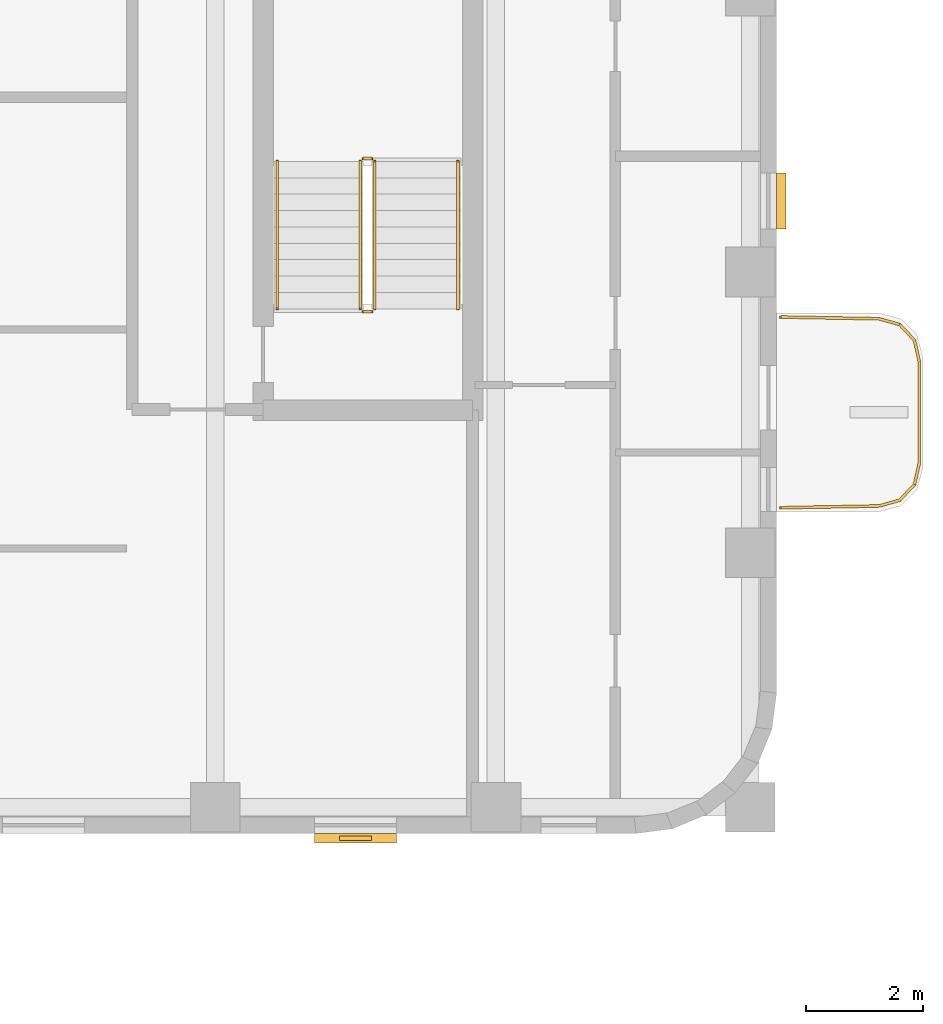
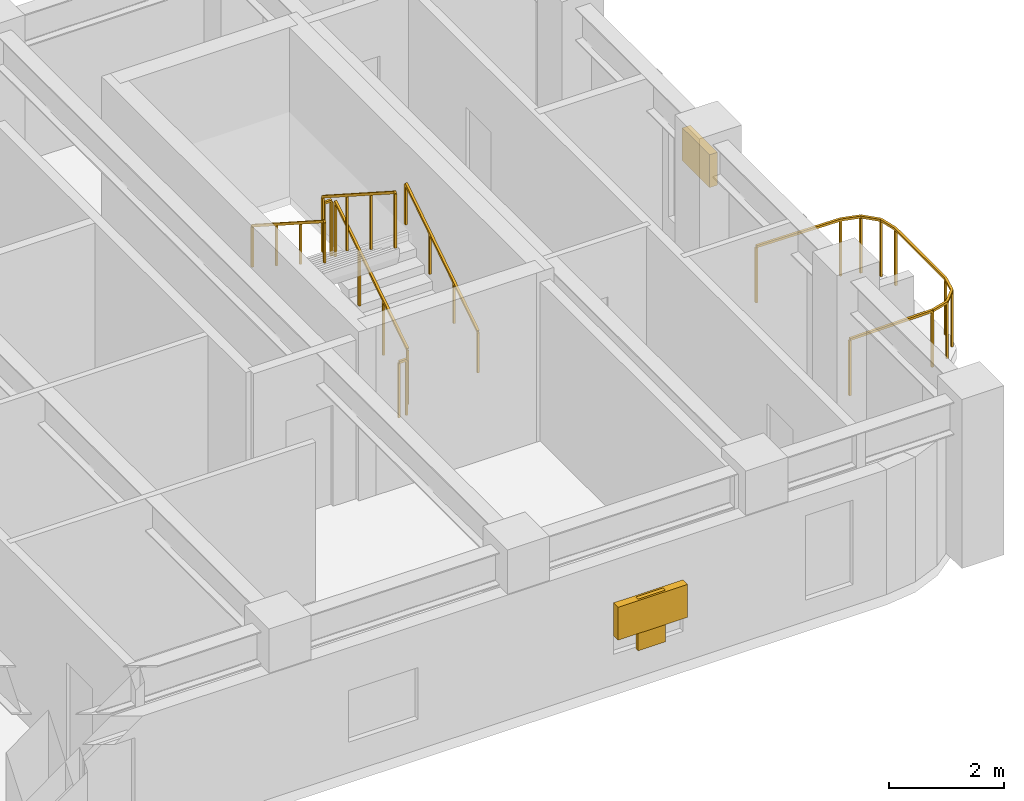
# One storey, part 9 of 10: 7 railings, 3 shading devices.
"""IFC4 building model written with IfcOpenShell, lengths in metres."""

import ifcopenshell
import ifcopenshell.guid

model = None  # the IFC model being written
_history = None  # IfcOwnerHistory: only IFC2X3 demands one
_inside = {}  # id of a spatial element -> (the spatial element, [elements in it])
_under = {}  # id of a project, library or spatial element -> (it, [spatial elements below it])
_declared = {}  # id of a project -> (the project, [libraries it declares])
_typed = {}  # id of a type object -> (the type object, [elements of that type])
_made_of = {}  # id of a material, layer set ... -> (it, [elements and type objects made of it])


def new_model(schema):
    """Start an empty IFC model of exactly this schema.

    Asked for "IFC4X3", IfcOpenShell would pick the latest addendum, in which some entities
    have other attributes; the version numbers below select the first issue.
    IFC2X3 requires an IfcOwnerHistory on every rooted entity: one is made here for all.
    """
    global model, _history
    if schema == "IFC4X3":
        model = ifcopenshell.file(schema_version=(4, 3, 0, 0))
    else:
        model = ifcopenshell.file(schema=schema)
    _inside.clear()
    _under.clear()
    _declared.clear()
    _typed.clear()
    _made_of.clear()
    _history = None
    if model.schema == "IFC2X3":
        org = make("IfcOrganization", Name="unknown")
        user = make(
            "IfcPersonAndOrganization",
            ThePerson=make("IfcPerson", FamilyName="unknown"),
            TheOrganization=org,
        )
        app = make(
            "IfcApplication",
            ApplicationDeveloper=org,
            Version="unknown",
            ApplicationFullName="unknown",
            ApplicationIdentifier="unknown",
        )
        _history = make(
            "IfcOwnerHistory",
            OwningUser=user,
            OwningApplication=app,
            ChangeAction="ADDED",
            CreationDate=0,
        )
    return model


def make(cls, **values):
    """One entity of the class cls with the attributes given. An attribute that is None is left unset."""
    return model.create_entity(
        cls, **{name: value for name, value in values.items() if value is not None}
    )


def rooted(cls, **values):
    """An entity with a GlobalId (a new one), such as an element, a storey or a relation."""
    return make(cls, GlobalId=ifcopenshell.guid.new(), OwnerHistory=_history, **values)


def si_unit(unit_type, name, prefix=None):
    """IfcSIUnit, for example si_unit("LENGTHUNIT", "METRE", prefix="MILLI")."""
    return make("IfcSIUnit", UnitType=unit_type, Prefix=prefix, Name=name)


def assignment(units):
    """IfcUnitAssignment: the units of a project."""
    return None if units is None else make("IfcUnitAssignment", Units=units)


def point(xyz):
    """IfcCartesianPoint."""
    return None if xyz is None else make("IfcCartesianPoint", Coordinates=xyz)


def direction(xyz):
    """IfcDirection."""
    return None if xyz is None else make("IfcDirection", DirectionRatios=xyz)


def frame(location, z_axis=None, x_axis=None):
    """IfcAxis2Placement3D, a coordinate frame: its origin and axes. An axis left out is left unset."""
    return make(
        "IfcAxis2Placement3D",
        Location=point(location),
        Axis=direction(z_axis),
        RefDirection=direction(x_axis),
    )


def frame_2d(location, x_axis=None):
    """IfcAxis2Placement2D, a coordinate frame in the plane: its origin and x axis."""
    return make(
        "IfcAxis2Placement2D", Location=point(location), RefDirection=direction(x_axis)
    )


def origin():
    """The frame at (0, 0, 0) with its axes left unset."""
    return frame((0.0, 0.0, 0.0))


def origin_2d():
    """The frame at (0, 0) in the plane with its x axis left unset."""
    return frame_2d((0.0, 0.0))


def place(relative_to, where):
    """IfcLocalPlacement: puts the frame where relative to a parent placement (None: the world)."""
    return make(
        "IfcLocalPlacement", PlacementRelTo=relative_to, RelativePlacement=where
    )


def context(
    kind, dimensions, precision=None, world=None, true_north=None, identifier=None
):
    """IfcGeometricRepresentationContext, for example the 3D "Model" context."""
    return make(
        "IfcGeometricRepresentationContext",
        ContextIdentifier=identifier,
        ContextType=kind,
        CoordinateSpaceDimension=dimensions,
        Precision=precision,
        WorldCoordinateSystem=world,
        TrueNorth=true_north,
    )


def subcontext(parent, identifier, kind, view, scale=None):
    """IfcGeometricRepresentationSubContext, for example "Body" below "Model"."""
    return make(
        "IfcGeometricRepresentationSubContext",
        ContextIdentifier=identifier,
        ContextType=kind,
        ParentContext=parent,
        TargetScale=scale,
        TargetView=view,
    )


def project(units=None, contexts=None):
    """IfcProject with its units and contexts."""
    return rooted(
        "IfcProject",
        Name="project",
        RepresentationContexts=contexts,
        UnitsInContext=assignment(units),
    )


def spatial(cls, under=None, at=None, **own):
    """A site, building, storey or space (cls), placed at a placement, below another one or the project."""
    s = rooted(cls, ObjectPlacement=at, **own)
    if under is not None:
        _under.setdefault(under.id(), (under, []))[1].append(s)
    return s


def profile(cls, at=None, kind="AREA", **sizes):
    """A parametric profile (cls). Its sizes go by their IFC names, for example OverallWidth=200.0."""
    return make(cls, ProfileType=kind, Position=at, **sizes)


def rectangle(**sizes):
    """IfcRectangleProfileDef."""
    return profile("IfcRectangleProfileDef", **sizes)


def extrude(swept, where, along, depth):
    """IfcExtrudedAreaSolid: the profile swept, set in the frame where, extruded along a direction by depth."""
    return make(
        "IfcExtrudedAreaSolid",
        SweptArea=swept,
        Position=where,
        ExtrudedDirection=direction(along),
        Depth=depth,
    )


def shape(context_of_items, identifier, shape_type, items):
    """IfcShapeRepresentation: the items that make up one representation, for example the "Body"."""
    return make(
        "IfcShapeRepresentation",
        ContextOfItems=context_of_items,
        RepresentationIdentifier=identifier,
        RepresentationType=shape_type,
        Items=items,
    )


def material(Name=None, Category=None):
    """IfcMaterial."""
    return make("IfcMaterial", Name=Name, Category=Category)


def made_of(thing, what):
    """Note that an element or type object is made of a material, layer set ...; save() writes the relation."""
    if what is not None:
        _made_of.setdefault(what.id(), (what, []))[1].append(thing)
    return thing


def type_object(cls, material=None, **own):
    """A type object (cls), such as IfcWallType, which elements share."""
    return made_of(rooted(cls, **own), material)


def element(
    cls,
    number,
    at=None,
    inside=None,
    cuts=None,
    type_object=None,
    material=None,
    context=None,
    identifier="Body",
    shape_type=None,
    held_by="IfcProductDefinitionShape",
    body=None,
    shapes=None,
    **own,
):
    """One element of the class cls, such as IfcWall. Its Tag is "e" and its number.

    at: its placement. inside: the storey or other place that contains it. cuts: it is an
    opening in that element (IfcRelVoidsElement). A single representation is given by context,
    identifier, shape_type and body (its items); several are given by shapes. held_by: the class
    of the entity that holds the representations. save() writes the other relations.
    """
    e = rooted(cls, Tag="e%d" % number, ObjectPlacement=at, **own)
    if body is not None:
        shapes = [shape(context, identifier, shape_type, body)]
    if shapes is not None:
        e.Representation = make(held_by, Representations=shapes)
    if inside is not None:
        _inside.setdefault(inside.id(), (inside, []))[1].append(e)
    if cuts is not None:
        rooted(
            "IfcRelVoidsElement", RelatingBuildingElement=cuts, RelatedOpeningElement=e
        )
    if type_object is not None:
        _typed.setdefault(type_object.id(), (type_object, []))[1].append(e)
    return made_of(e, material)


def aggregate(whole, parts):
    """IfcRelAggregates: a whole, such as a stair, and the parts it consists of."""
    return rooted("IfcRelAggregates", RelatingObject=whole, RelatedObjects=parts)


def save(model, path):
    """Write the relations noted so far, then the file.

    IfcRelAggregates (storeys below a building ...), IfcRelContainedInSpatialStructure (elements
    in a storey), IfcRelDefinesByType, IfcRelAssociatesMaterial and IfcRelDeclares: one each for
    every whole, place, type object, material and project.
    """
    for whole, parts in _under.values():
        aggregate(whole, parts)
    for where, things in _inside.values():
        rooted(
            "IfcRelContainedInSpatialStructure",
            RelatedElements=things,
            RelatingStructure=where,
        )
    for kind, things in _typed.values():
        rooted("IfcRelDefinesByType", RelatedObjects=things, RelatingType=kind)
    for what, things in _made_of.values():
        rooted("IfcRelAssociatesMaterial", RelatedObjects=things, RelatingMaterial=what)
    for by, libraries in _declared.values():
        rooted("IfcRelDeclares", RelatingContext=by, RelatedDefinitions=libraries)
    model.write(path)


model = new_model("IFC4")

# Units and contexts
model_context = context("Model", 3, precision=1e-05, world=origin(), true_north=direction((0.0, 1.0)))
body_context = subcontext(model_context, "Body", "Model", "MODEL_VIEW")
ifc_project = project(units=[si_unit("LENGTHUNIT", "METRE"), si_unit("AREAUNIT", "SQUARE_METRE"), si_unit("VOLUMEUNIT", "CUBIC_METRE"), si_unit("PLANEANGLEUNIT", "RADIAN"), si_unit("MASSUNIT", "GRAM", prefix="KILO")], contexts=[model_context])

# Site, building, storey
site_placement = place(None, origin())
site = spatial("IfcSite", under=ifc_project, at=site_placement, CompositionType="ELEMENT")
building_placement = place(site_placement, origin())
building = spatial("IfcBuilding", under=site, at=building_placement, Name="Orvandelia Arch Residences", CompositionType="ELEMENT")
storey_placement = place(building_placement, frame((0.0, 0.0, 229.0)))
storey = spatial("IfcBuildingStorey", under=building, at=storey_placement, Name="L60", CompositionType="ELEMENT", Elevation=229.0)

# Railings
ifc_material_1 = material(Name="Marine-Grade Stainless Steel 316", Category="steel")
railing_type_1 = type_object("IfcRailingType", Name="GRD-BAL-1200", PredefinedType="BALUSTRADE", material=ifc_material_1)
railing_1_placement = place(storey_placement, frame((52.871826171875, 34.36962890625, 0.0)))
element("IfcRailing", 1, at=railing_1_placement, inside=storey, type_object=railing_type_1, Name="Safety Balustrade Guard GRD-L60-BAL-L60-E1-1", PredefinedType="BALUSTRADE", context=body_context, shape_type="SweptSolid", body=[
    extrude(rectangle(XDim=0.048095703125, YDim=0.048095703125, at=origin_2d()), frame((0.0, 0.0, 1.19580078125), z_axis=(0.999837384468, 0.018033430643, 0.0), x_axis=(-0.018033430643, 0.999837384468, 0.0)), (0.0, 0.0, 1.0), 1.6787109375),
    extrude(rectangle(XDim=0.048095703125, YDim=0.048095703125, at=origin_2d()), frame((1.678466796875, 0.0302734375, 1.19580078125), z_axis=(0.96348920644, 0.267747173792, 0.0), x_axis=(-0.267747173792, 0.96348920644, 0.0)), (0.0, 0.0, 1.0), 0.36572265625),
    extrude(rectangle(XDim=0.048095703125, YDim=0.048095703125, at=origin_2d()), frame((2.03076171875, 0.128173828125, 1.19580078125), z_axis=(0.687947031175, 0.725760898848, 0.0), x_axis=(-0.725760898848, 0.687947031175, 0.0)), (0.0, 0.0, 1.0), 0.367919921875),
    extrude(rectangle(XDim=0.048095703125, YDim=0.048095703125, at=origin_2d()), frame((2.283935546875, 0.395263671875, 1.19580078125), z_axis=(0.221225034864, 0.975222786828, 0.0), x_axis=(-0.975222786828, 0.221225034864, 0.0)), (0.0, 0.0, 1.0), 0.373046875),
    extrude(rectangle(XDim=0.048095703125, YDim=0.048095703125, at=origin_2d()), frame((2.366455078125, 0.759033203125, 1.19580078125), z_axis=(0.0, 1.0, 0.0), x_axis=(-1.0, 0.0, 0.0)), (0.0, 0.0, 1.0), 1.74267578125),
    extrude(rectangle(XDim=0.048095703125, YDim=0.048095703125, at=origin_2d()), frame((2.366455078125, 2.501708984375, 1.19580078125), z_axis=(-0.221225034864, 0.975222786828, 0.0), x_axis=(-0.975222786828, -0.221225034864, 0.0)), (0.0, 0.0, 1.0), 0.373046875),
    extrude(rectangle(XDim=0.048095703125, YDim=0.048095703125, at=origin_2d()), frame((2.283935546875, 2.865478515625, 1.19580078125), z_axis=(-0.687947031175, 0.725760898848, 0.0), x_axis=(-0.725760898848, -0.687947031175, 0.0)), (0.0, 0.0, 1.0), 0.367919921875),
    extrude(rectangle(XDim=0.048095703125, YDim=0.048095703125, at=origin_2d()), frame((2.03076171875, 3.132568359375, 1.19580078125), z_axis=(-0.96348920644, 0.267747173792, 0.0), x_axis=(-0.267747173792, -0.96348920644, 0.0)), (0.0, 0.0, 1.0), 0.36572265625),
    extrude(rectangle(XDim=0.048095703125, YDim=0.048095703125, at=origin_2d()), frame((1.678466796875, 3.23046875, 1.19580078125), z_axis=(-0.999837384468, 0.018033430643, 0.0), x_axis=(-0.018033430643, -0.999837384468, 0.0)), (0.0, 0.0, 1.0), 1.6787109375),
    extrude(rectangle(XDim=0.0419921875, YDim=0.0419921875, at=origin_2d()), origin(), (0.0, 0.0, 1.0), 1.171875),
    extrude(rectangle(XDim=0.0419921875, YDim=0.0419921875, at=origin_2d()), frame((1.678466796875, 0.0302734375, 0.0)), (0.0, 0.0, 1.0), 1.171875),
    extrude(rectangle(XDim=0.0419921875, YDim=0.0419921875, at=origin_2d()), frame((2.03076171875, 0.128173828125, 0.0)), (0.0, 0.0, 1.0), 1.171875),
    extrude(rectangle(XDim=0.0419921875, YDim=0.0419921875, at=origin_2d()), frame((2.283935546875, 0.395263671875, 0.0)), (0.0, 0.0, 1.0), 1.171875),
    extrude(rectangle(XDim=0.0419921875, YDim=0.0419921875, at=origin_2d()), frame((2.366455078125, 0.759033203125, 0.0)), (0.0, 0.0, 1.0), 1.171875),
    extrude(rectangle(XDim=0.0419921875, YDim=0.0419921875, at=origin_2d()), frame((2.366455078125, 2.501708984375, 0.0)), (0.0, 0.0, 1.0), 1.171875),
    extrude(rectangle(XDim=0.0419921875, YDim=0.0419921875, at=origin_2d()), frame((2.283935546875, 2.865478515625, 0.0)), (0.0, 0.0, 1.0), 1.171875),
    extrude(rectangle(XDim=0.0419921875, YDim=0.0419921875, at=origin_2d()), frame((2.03076171875, 3.132568359375, 0.0)), (0.0, 0.0, 1.0), 1.171875),
    extrude(rectangle(XDim=0.0419921875, YDim=0.0419921875, at=origin_2d()), frame((1.678466796875, 3.23046875, 0.0)), (0.0, 0.0, 1.0), 1.171875),
    extrude(rectangle(XDim=0.0419921875, YDim=0.0419921875, at=origin_2d()), frame((0.0, 3.2607421875, 0.0)), (0.0, 0.0, 1.0), 1.171875),
])
ifc_material_2 = material(Name="Brushed Stainless Steel 304", Category="steel")
railing_type_2 = type_object("IfcRailingType", Name="RL-STAIR-GD1120", PredefinedType="GUARDRAIL", material=ifc_material_2)
railing_2_placement = place(storey_placement, frame((45.929931640625, 37.77001953125, 0.179931640625)))
element("IfcRailing", 2, at=railing_2_placement, inside=storey, type_object=railing_type_2, Name="L60 ST-3 stair guard 1", PredefinedType="GUARDRAIL", context=body_context, shape_type="SweptSolid", body=[
    extrude(rectangle(XDim=0.048095703125, YDim=0.048095703125, at=origin_2d()), frame((0.0, 0.0, 1.17578125), z_axis=(0.0, 0.841162588446, 0.540782303519), x_axis=(-1.0, 0.0, 0.0)), (0.0, 0.0, 1.0), 2.995849609375),
    extrude(rectangle(XDim=0.0419921875, YDim=0.0419921875, at=origin_2d()), origin(), (0.0, 0.0, 1.0), 1.15185546875),
    extrude(rectangle(XDim=0.0419921875, YDim=0.0419921875, at=origin_2d()), frame((0.0, 0.840087890625, 0.5400390625)), (0.0, 0.0, 1.0), 1.15185546875),
    extrude(rectangle(XDim=0.0419921875, YDim=0.0419921875, at=origin_2d()), frame((0.0, 1.679931640625, 1.080078125)), (0.0, 0.0, 1.0), 1.15185546875),
    extrude(rectangle(XDim=0.0419921875, YDim=0.0419921875, at=origin_2d()), frame((0.0, 2.52001953125, 1.6201171875)), (0.0, 0.0, 1.0), 1.15185546875),
])
railing_3_placement = place(storey_placement, frame((45.8798828125, 40.340087890625, 1.800048828125)))
element("IfcRailing", 3, at=railing_3_placement, inside=storey, type_object=railing_type_2, Name="L60 ST-3 stair guard 2", PredefinedType="GUARDRAIL", context=body_context, shape_type="SweptSolid", body=[
    extrude(rectangle(XDim=0.048095703125, YDim=0.048095703125, at=origin_2d()), frame((0.0, 0.0, 1.17578125), z_axis=(-1.0, 0.0, 0.0), x_axis=(0.0, -1.0, 0.0)), (0.0, 0.0, 1.0), 0.14990234375),
    extrude(rectangle(XDim=0.0419921875, YDim=0.0419921875, at=origin_2d()), origin(), (0.0, 0.0, 1.0), 1.15185546875),
    extrude(rectangle(XDim=0.0419921875, YDim=0.0419921875, at=origin_2d()), frame((-0.14990234375, 0.0, 0.0)), (0.0, 0.0, 1.0), 1.15185546875),
])
railing_4_placement = place(storey_placement, frame((45.679931640625, 40.2900390625, 1.97998046875)))
element("IfcRailing", 4, at=railing_4_placement, inside=storey, type_object=railing_type_2, Name="L60 ST-3 stair guard 3", PredefinedType="GUARDRAIL", context=body_context, shape_type="SweptSolid", body=[
    extrude(rectangle(XDim=0.048095703125, YDim=0.048095703125, at=origin_2d()), frame((0.0, 0.0, 1.17578125), z_axis=(0.0, -0.841162588446, 0.540782303519), x_axis=(1.0, 0.0, 0.0)), (0.0, 0.0, 1.0), 2.995849609375),
    extrude(rectangle(XDim=0.0419921875, YDim=0.0419921875, at=origin_2d()), origin(), (0.0, 0.0, 1.0), 1.15185546875),
    extrude(rectangle(XDim=0.0419921875, YDim=0.0419921875, at=origin_2d()), frame((0.0, -0.840087890625, 0.5400390625)), (0.0, 0.0, 1.0), 1.15185546875),
    extrude(rectangle(XDim=0.0419921875, YDim=0.0419921875, at=origin_2d()), frame((0.0, -1.679931640625, 1.080078125)), (0.0, 0.0, 1.0), 1.15185546875),
    extrude(rectangle(XDim=0.0419921875, YDim=0.0419921875, at=origin_2d()), frame((0.0, -2.52001953125, 1.6201171875)), (0.0, 0.0, 1.0), 1.15185546875),
])
railing_5_placement = place(storey_placement, frame((45.8798828125, 37.719970703125, 0.0)))
element("IfcRailing", 5, at=railing_5_placement, inside=storey, type_object=railing_type_2, Name="L60 ST-3 stair guard 4", PredefinedType="GUARDRAIL", context=body_context, shape_type="SweptSolid", body=[
    extrude(rectangle(XDim=0.048095703125, YDim=0.048095703125, at=origin_2d()), frame((0.0, 0.0, 1.17578125), z_axis=(-1.0, 0.0, 0.0), x_axis=(0.0, -1.0, 0.0)), (0.0, 0.0, 1.0), 0.14990234375),
    extrude(rectangle(XDim=0.0419921875, YDim=0.0419921875, at=origin_2d()), origin(), (0.0, 0.0, 1.0), 1.15185546875),
    extrude(rectangle(XDim=0.0419921875, YDim=0.0419921875, at=origin_2d()), frame((-0.14990234375, 0.0, 0.0)), (0.0, 0.0, 1.0), 1.15185546875),
])
railing_type_3 = type_object("IfcRailingType", Name="RL-STAIR-HR920", PredefinedType="HANDRAIL", material=ifc_material_2)
railing_6_placement = place(storey_placement, frame((47.35009765625, 37.77001953125, 0.360107421875)))
element("IfcRailing", 6, at=railing_6_placement, inside=storey, type_object=railing_type_3, Name="L60 ST-3 stair handrail 1", PredefinedType="HANDRAIL", context=body_context, shape_type="SweptSolid", body=[
    extrude(rectangle(XDim=0.048095703125, YDim=0.048095703125, at=origin_2d()), frame((0.0, 0.0, 0.8759765625), z_axis=(0.0, 0.841199657755, 0.540724639528), x_axis=(-1.0, 0.0, 0.0)), (0.0, 0.0, 1.0), 2.995849609375),
    extrude(rectangle(XDim=0.0419921875, YDim=0.0419921875, at=origin_2d()), origin(), (0.0, 0.0, 1.0), 0.851806640625),
    extrude(rectangle(XDim=0.0419921875, YDim=0.0419921875, at=origin_2d()), frame((0.0, 0.840087890625, 0.5400390625)), (0.0, 0.0, 1.0), 0.851806640625),
    extrude(rectangle(XDim=0.0419921875, YDim=0.0419921875, at=origin_2d()), frame((0.0, 1.679931640625, 1.079833984375)), (0.0, 0.0, 1.0), 0.851806640625),
    extrude(rectangle(XDim=0.0419921875, YDim=0.0419921875, at=origin_2d()), frame((0.0, 2.52001953125, 1.619873046875)), (0.0, 0.0, 1.0), 0.851806640625),
])
railing_7_placement = place(storey_placement, frame((44.260009765625, 40.2900390625, 2.159912109375)))
element("IfcRailing", 7, at=railing_7_placement, inside=storey, type_object=railing_type_3, Name="L60 ST-3 stair handrail 2", PredefinedType="HANDRAIL", context=body_context, shape_type="SweptSolid", body=[
    extrude(rectangle(XDim=0.048095703125, YDim=0.048095703125, at=origin_2d()), frame((0.0, 0.0, 0.8759765625), z_axis=(0.0, -0.841162588446, 0.540782303519), x_axis=(1.0, 0.0, 0.0)), (0.0, 0.0, 1.0), 2.995849609375),
    extrude(rectangle(XDim=0.0419921875, YDim=0.0419921875, at=origin_2d()), origin(), (0.0, 0.0, 1.0), 0.851806640625),
    extrude(rectangle(XDim=0.0419921875, YDim=0.0419921875, at=origin_2d()), frame((0.0, -0.840087890625, 0.5400390625)), (0.0, 0.0, 1.0), 0.851806640625),
    extrude(rectangle(XDim=0.0419921875, YDim=0.0419921875, at=origin_2d()), frame((0.0, -1.679931640625, 1.080078125)), (0.0, 0.0, 1.0), 0.851806640625),
    extrude(rectangle(XDim=0.0419921875, YDim=0.0419921875, at=origin_2d()), frame((0.0, -2.52001953125, 1.6201171875)), (0.0, 0.0, 1.0), 0.851806640625),
])

# Shading devices
ifc_material_3 = material(Name="Anodised Champagne-Bronze Extruded Aluminium", Category="aluminium")
shading_device_type_1 = type_object("IfcShadingDeviceType", Name="SHD-JALOUSIE-SCREEN", PredefinedType="JALOUSIE", material=ifc_material_3)
shading_device_1_placement = place(storey_placement, frame((52.8798828125, 39.614013671875, 1.5498046875), z_axis=(0.0, 0.0, 1.0), x_axis=(0.0, -1.0, 0.0)))
element("IfcShadingDevice", 8, at=shading_device_1_placement, inside=storey, type_object=shading_device_type_1, Name="Bronze Jalousie Sun-Shade L60-002", PredefinedType="JALOUSIE", context=body_context, shape_type="SweptSolid", body=[
    extrude(rectangle(XDim=0.949951171875, YDim=0.159912109375, at=origin_2d()), origin(), (0.0, 0.0, 1.0), 0.699951171875),
])
shading_device_2_placement = place(storey_placement, frame((45.60009765625, 28.719970703125, 1.0498046875), z_axis=(0.0, 0.0, 1.0), x_axis=(-1.0, 0.0, 0.0)))
element("IfcShadingDevice", 9, at=shading_device_2_placement, inside=storey, type_object=shading_device_type_1, Name="Bronze Jalousie Sun-Shade L60-003", PredefinedType="JALOUSIE", context=body_context, shape_type="SweptSolid", body=[
    extrude(rectangle(XDim=1.39990234375, YDim=0.159912109375, at=origin_2d()), origin(), (0.0, 0.0, 1.0), 0.699951171875),
])
ifc_material_4 = material(Name="Marine-Grade Perforated Aluminium Storm Shutter", Category="aluminium")
shading_device_type_2 = type_object("IfcShadingDeviceType", Name="SHD-STORM-SHUTTER", PredefinedType="SHUTTER", material=ifc_material_4)
shading_device_3_placement = place(storey_placement, frame((45.60009765625, 28.719970703125, 0.64990234375), z_axis=(0.0, 0.0, 1.0), x_axis=(-1.0, 0.0, 0.0)))
element("IfcShadingDevice", 10, at=shading_device_3_placement, inside=storey, type_object=shading_device_type_2, Name="Operable Typhoon Storm Shutter L60-003", PredefinedType="SHUTTER", context=body_context, shape_type="SweptSolid", body=[
    extrude(rectangle(XDim=0.550048828125, YDim=0.080078125, at=origin_2d()), origin(), (0.0, 0.0, 1.0), 1.10009765625),
])

save(model, "model.ifc")
